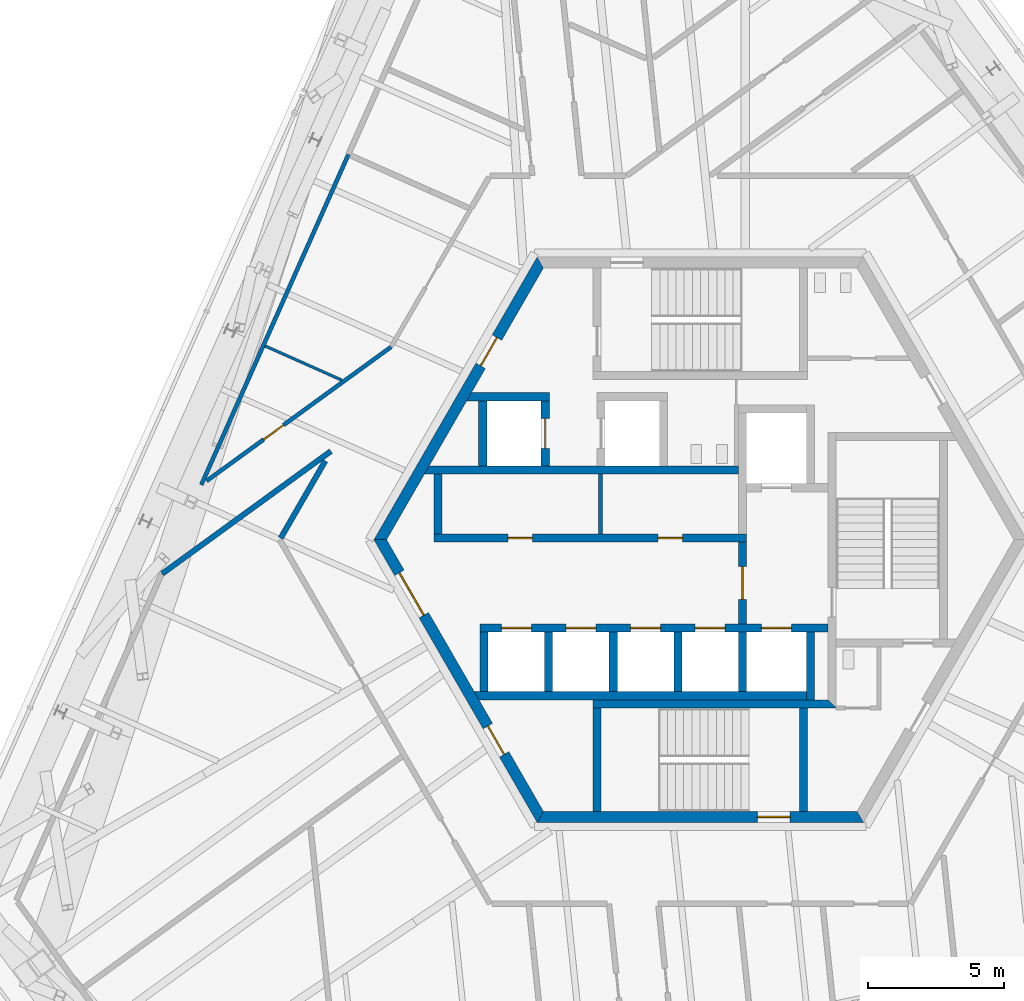
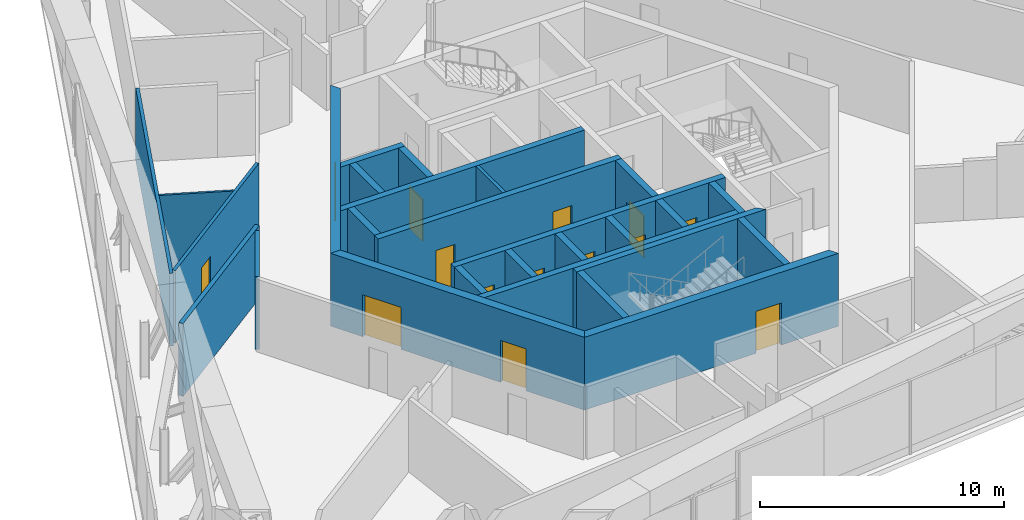
# One storey, part 13 of 23: 27 walls, 14 doors, 14 openings.
"""IFC4 building model written with IfcOpenShell, lengths in metres."""

from ifc_helpers import new_model, si_unit, direction, frame, frame_2d, origin, place, context, subcontext, project, spatial, polyline, rectangle, outline, extrude, source, transform, mapped, material, layer, layer_set, type_object, element, fill, save


model = new_model("IFC4")

# Units and contexts
model_context = context("Model", 3, precision=1e-05, world=origin(), true_north=direction((0.0, 1.0)))
body_context = subcontext(model_context, "Body", "Model", "MODEL_VIEW")
ifc_project = project(units=[si_unit("LENGTHUNIT", "METRE"), si_unit("AREAUNIT", "SQUARE_METRE"), si_unit("VOLUMEUNIT", "CUBIC_METRE"), si_unit("PLANEANGLEUNIT", "RADIAN"), si_unit("MASSUNIT", "GRAM", prefix="KILO")], contexts=[model_context])

# Site, building, storey
site_placement = place(None, origin())
site = spatial("IfcSite", under=ifc_project, at=site_placement, CompositionType="ELEMENT")
building_placement = place(site_placement, origin())
building = spatial("IfcBuilding", under=site, at=building_placement, Name="Triune Harvest Tower", CompositionType="ELEMENT")
storey_placement = place(building_placement, frame((0.0, 0.0, 255.699951171875)))
storey = spatial("IfcBuildingStorey", under=building, at=storey_placement, Name="L67", CompositionType="ELEMENT", Elevation=255.699951171875)

# Wall, opening, door
ifc_material_1 = material(Name="Gypsum board on steel studs", Category="steel")
ifc_layer_1 = layer(ifc_material_1, 0.14990234375)
ifc_layer_set_1 = layer_set([ifc_layer_1], Name="Gypsum board on steel studs")
wall_type_1 = type_object("IfcWallType", Name="Fire Partition 150 mm", PredefinedType="PARTITIONING", material=ifc_layer_set_1)
wall_1_placement = place(storey_placement, frame((-18.15380859375, 2.161376953125, 0.0), z_axis=(0.0, 0.0, 1.0), x_axis=(0.809014287375, 0.58778897814, 0.0)))
wall_1 = element("IfcWall", 1, at=wall_1_placement, inside=storey, type_object=wall_type_1, Name="Partition L67 048", PredefinedType="PARTITIONING", context=body_context, shape_type="SweptSolid", body=[
    extrude(rectangle(XDim=8.384033203125, YDim=0.14990234375, at=frame_2d((4.19189453125, 0.0))), origin(), (0.0, 0.0, 1.0), 3.64013671875),
])
opening_1_placement = place(wall_1_placement, frame((2.59619140625, 0.0, 0.0)))
opening_1 = element("IfcOpeningElement", 2, at=opening_1_placement, cuts=wall_1, Name="Opening L67-014", PredefinedType="OPENING", context=body_context, shape_type="SweptSolid", body=[
    extrude(rectangle(XDim=0.89990234375, YDim=2.10009765625, at=frame_2d((0.449951171875, 1.050048828125))), frame((0.0, 0.0849609375, 0.0), z_axis=(0.0, -1.0, 0.0), x_axis=(1.0, 0.0, 0.0)), (0.0, 0.0, 1.0), 0.169921875),
])
ifc_material_2 = material(Name="Timber and steel door set", Category="steel")
door_type_1 = type_object("IfcDoorType", Name="Single leaf door FD30 left hand 900 x 2100", OperationType="SINGLE_SWING_LEFT", PredefinedType="DOOR", material=ifc_material_2)
door_1_placement = place(opening_1_placement, origin())
door_1 = element("IfcDoor", 3, at=door_1_placement, inside=storey, type_object=door_type_1, Name="Door L67-014 Dry Store Room 67.14", OperationType="SINGLE_SWING_LEFT", OverallHeight=2.10009765625, OverallWidth=0.89990234375, PredefinedType="DOOR", context=body_context, shape_type="SweptSolid", body=[
    extrude(rectangle(XDim=0.89990234375, YDim=2.10009765625, at=frame_2d((0.449951171875, 1.050048828125))), frame((0.0, 0.02490234375, 0.0), z_axis=(0.0, -1.0, 0.0), x_axis=(1.0, 0.0, 0.0)), (0.0, 0.0, 1.0), 0.050048828125),
])
fill(opening_1, door_1)

# Walls
wall_2_placement = place(storey_placement, frame((-18.347900390625, 2.020263671875, 0.0), z_axis=(0.0, 0.0, 1.0), x_axis=(0.406721155021, 0.913552353211, 0.0)))
element("IfcWall", 4, at=wall_2_placement, inside=storey, type_object=wall_type_1, Name="Partition L67 059", PredefinedType="PARTITIONING", context=body_context, shape_type="SweptSolid", body=[
    extrude(rectangle(XDim=13.29345703125, YDim=0.14990234375, at=frame_2d((6.646728515625, 0.0))), origin(), (0.0, 0.0, 1.0), 3.64013671875),
])
ifc_material_3 = material(Name="Gypsum board on steel studs", Category="steel")
ifc_layer_2 = layer(ifc_material_3, 0.199951171875)
ifc_layer_set_2 = layer_set([ifc_layer_2], Name="Gypsum board on steel studs")
wall_type_2 = type_object("IfcWallType", Name="Fire Wall 200 mm", PredefinedType="PARTITIONING", material=ifc_layer_set_2)
wall_3_placement = place(storey_placement, frame((-19.7880859375, -1.250732421875, 0.0), z_axis=(0.0, 0.0, 1.0), x_axis=(0.809026459838, 0.58777222398, 0.0)))
element("IfcWall", 5, at=wall_3_placement, inside=storey, type_object=wall_type_2, Name="Partition L67 046", PredefinedType="PARTITIONING", context=body_context, shape_type="SweptSolid", body=[
    extrude(rectangle(XDim=7.6689453125, YDim=0.199951171875, at=frame_2d((3.83447265625, 0.0))), origin(), (0.0, 0.0, 1.0), 3.64013671875),
])
wall_4_placement = place(storey_placement, frame((-15.428955078125, 0.060546875, 0.0), z_axis=(0.0, 0.0, 1.0), x_axis=(0.499963356153, 0.866046559086, 0.0)))
element("IfcWall", 6, at=wall_4_placement, inside=storey, type_object=wall_type_2, Name="Partition L67 054", PredefinedType="PARTITIONING", context=body_context, shape_type="SweptSolid", body=[
    extrude(rectangle(XDim=3.275146484375, YDim=0.199951171875, at=frame_2d((1.6376953125, 0.0))), origin(), (0.0, 0.0, 1.0), 3.64013671875),
])
ifc_material_4 = material(Name="Gypsum board on steel studs", Category="steel")
ifc_layer_3 = layer(ifc_material_4, 0.10009765625)
ifc_layer_set_3 = layer_set([ifc_layer_3], Name="Gypsum board on steel studs")
wall_type_3 = type_object("IfcWallType", Name="Partition 100 mm", PredefinedType="PARTITIONING", material=ifc_layer_set_3)
wall_5_placement = place(storey_placement, frame((-16.008544921875, 7.127685546875, 0.0), z_axis=(0.0, 0.0, 1.0), x_axis=(0.913518380442, -0.406797454017, 0.0)))
element("IfcWall", 7, at=wall_5_placement, inside=storey, type_object=wall_type_3, Name="Partition L67 024", PredefinedType="PARTITIONING", context=body_context, shape_type="SweptSolid", body=[
    extrude(rectangle(XDim=3.09326171875, YDim=0.10009765625, at=frame_2d((1.546630859375, 0.0))), origin(), (0.0, 0.0, 1.0), 3.64013671875),
])

# Wall, opening, door
ifc_material_5 = material(Name="Concrete 70 MPa", Category="concrete")
ifc_layer_4 = layer(ifc_material_5, 0.39990234375)
ifc_layer_set_4 = layer_set([ifc_layer_4], Name="Concrete 70 MPa")
wall_type_4 = type_object("IfcWallType", Name="Core wall 400", PredefinedType="SHEAR", material=ifc_layer_set_4)
shared_shape_1 = source(origin(), body_context, "Body", "SweptSolid", [
    extrude(outline(polyline([(-0.115478515625, -0.199951171875), (11.884521484375, -0.199951171875), (11.653564453125, 0.199951171875), (0.115478515625, 0.199951171875), (-0.115478515625, -0.199951171875)])), origin(), (0.0, 0.0, 1.0), 3.64013671875),
])
wall_6_placement = place(storey_placement, frame((-5.884521484375, 10.1923828125, 0.0), z_axis=(0.0, 0.0, 1.0), x_axis=(-0.499996592174, -0.866027371285, 0.0)))
wall_6 = element("IfcWall", 8, at=wall_6_placement, inside=storey, type_object=wall_type_4, Name="Hexagon 2 wall", PredefinedType="SHEAR", context=body_context, shape_type="MappedRepresentation", body=[
    mapped(shared_shape_1, transform((0.0, 0.0, 0.0), scale=1.0)),
])
opening_2_placement = place(wall_6_placement, frame((3.1845703125, 0.0, 0.0)))
opening_2 = element("IfcOpeningElement", 9, at=opening_2_placement, cuts=wall_6, Name="Opening CD-SVP", PredefinedType="OPENING", context=body_context, shape_type="SweptSolid", body=[
    extrude(rectangle(XDim=1.199951171875, YDim=2.10009765625, at=frame_2d((0.60009765625, 1.050048828125))), frame((0.0, 0.2099609375, 0.0), z_axis=(0.0, -1.0, 0.0), x_axis=(1.0, 0.0, 0.0)), (0.0, 0.0, 1.0), 0.419921875),
])
ifc_material_6 = material(Name="Steel S235", Category="steel")
door_type_2 = type_object("IfcDoorType", Name="Service door 1200 FD120", OperationType="SINGLE_SWING_LEFT", PredefinedType="DOOR", material=ifc_material_6)
door_2_placement = place(opening_2_placement, frame((1.199951171875, 0.0, 0.0), z_axis=(0.0, 0.0, 1.0), x_axis=(-1.0, 0.0, 0.0)))
door_2 = element("IfcDoor", 10, at=door_2_placement, inside=storey, type_object=door_type_2, Name="Door CD-SVP", OperationType="SINGLE_SWING_RIGHT", OverallHeight=2.10009765625, OverallWidth=1.199951171875, PredefinedType="DOOR", context=body_context, shape_type="SweptSolid", body=[
    extrude(rectangle(XDim=1.199951171875, YDim=2.10009765625, at=frame_2d((0.60009765625, 1.050048828125))), frame((0.0, 0.02490234375, 0.0), z_axis=(0.0, -1.0, 0.0), x_axis=(1.0, 0.0, 0.0)), (0.0, 0.0, 1.0), 0.050048828125),
])
fill(opening_2, door_2)

# Wall, openings, doors
wall_7_placement = place(storey_placement, frame((-11.76904296875, 0.0, 0.0), z_axis=(0.0, 0.0, 1.0), x_axis=(0.499996592174, -0.866027371285, 0.0)))
wall_7 = element("IfcWall", 11, at=wall_7_placement, inside=storey, type_object=wall_type_4, Name="Hexagon 3 wall", PredefinedType="SHEAR", context=body_context, shape_type="MappedRepresentation", body=[
    mapped(shared_shape_1, transform((0.0, 0.0, 0.0), scale=1.0)),
])
opening_3_placement = place(wall_7_placement, frame((1.404541015625, 0.0, 0.0)))
opening_3 = element("IfcOpeningElement", 12, at=opening_3_placement, cuts=wall_7, Name="Opening CD-LS", PredefinedType="OPENING", context=body_context, shape_type="SweptSolid", body=[
    extrude(rectangle(XDim=1.800048828125, YDim=2.10009765625, at=frame_2d((0.89990234375, 1.050048828125))), frame((0.0, 0.2099609375, 0.0), z_axis=(0.0, -1.0, 0.0), x_axis=(1.0, 0.0, 0.0)), (0.0, 0.0, 1.0), 0.419921875),
])
opening_4_placement = place(wall_7_placement, frame((7.91455078125, 0.0, 0.0)))
opening_4 = element("IfcOpeningElement", 13, at=opening_4_placement, cuts=wall_7, Name="Opening CD-SWP", PredefinedType="OPENING", context=body_context, shape_type="SweptSolid", body=[
    extrude(rectangle(XDim=1.199951171875, YDim=2.10009765625, at=frame_2d((0.60009765625, 1.050048828125))), frame((0.0, 0.2099609375, 0.0), z_axis=(0.0, -1.0, 0.0), x_axis=(1.0, 0.0, 0.0)), (0.0, 0.0, 1.0), 0.419921875),
])
ifc_material_7 = material(Name="Steel S235", Category="steel")
door_type_3 = type_object("IfcDoorType", Name="Lobby door 1800 FD120", OperationType="DOUBLE_DOOR_DOUBLE_SWING", PredefinedType="DOOR", material=ifc_material_7)
door_3_placement = place(opening_3_placement, frame((1.800048828125, 0.0, 0.0), z_axis=(0.0, 0.0, 1.0), x_axis=(-1.0, 0.0, 0.0)))
door_3 = element("IfcDoor", 14, at=door_3_placement, inside=storey, type_object=door_type_3, Name="Door CD-LS", OperationType="DOUBLE_DOOR_DOUBLE_SWING", OverallHeight=2.10009765625, OverallWidth=1.800048828125, PredefinedType="DOOR", context=body_context, shape_type="SweptSolid", body=[
    extrude(rectangle(XDim=1.800048828125, YDim=2.10009765625, at=frame_2d((0.89990234375, 1.050048828125))), frame((0.0, 0.02490234375, 0.0), z_axis=(0.0, -1.0, 0.0), x_axis=(1.0, 0.0, 0.0)), (0.0, 0.0, 1.0), 0.050048828125),
])
fill(opening_3, door_3)
door_4_placement = place(opening_4_placement, frame((1.199951171875, 0.0, 0.0), z_axis=(0.0, 0.0, 1.0), x_axis=(-1.0, 0.0, 0.0)))
door_4 = element("IfcDoor", 15, at=door_4_placement, inside=storey, type_object=door_type_2, Name="Door CD-SWP", OperationType="SINGLE_SWING_RIGHT", OverallHeight=2.10009765625, OverallWidth=1.199951171875, PredefinedType="DOOR", context=body_context, shape_type="SweptSolid", body=[
    extrude(rectangle(XDim=1.199951171875, YDim=2.10009765625, at=frame_2d((0.60009765625, 1.050048828125))), frame((0.0, 0.02490234375, 0.0), z_axis=(0.0, -1.0, 0.0), x_axis=(1.0, 0.0, 0.0)), (0.0, 0.0, 1.0), 0.050048828125),
])
fill(opening_4, door_4)

# Wall, opening, door
wall_8_placement = place(storey_placement, frame((-5.884521484375, -10.1923828125, 0.0), z_axis=(0.0, 0.0, 1.0), x_axis=(1.0, 0.0, 0.0)))
wall_8 = element("IfcWall", 16, at=wall_8_placement, inside=storey, type_object=wall_type_4, Name="Hexagon 4 wall", PredefinedType="SHEAR", context=body_context, shape_type="MappedRepresentation", body=[
    mapped(shared_shape_1, transform((0.0, 0.0, 0.0), scale=1.0)),
])
opening_5_placement = place(wall_8_placement, frame((7.984619140625, 0.0, 0.0)))
opening_5 = element("IfcOpeningElement", 17, at=opening_5_placement, cuts=wall_8, Name="Opening CD-S2P", PredefinedType="OPENING", context=body_context, shape_type="SweptSolid", body=[
    extrude(rectangle(XDim=1.199951171875, YDim=2.10009765625, at=frame_2d((0.60009765625, 1.050048828125))), frame((0.0, 0.2099609375, 0.0), z_axis=(0.0, -1.0, 0.0), x_axis=(1.0, 0.0, 0.0)), (0.0, 0.0, 1.0), 0.419921875),
])
ifc_material_8 = material(Name="Steel S235", Category="steel")
door_type_4 = type_object("IfcDoorType", Name="Stair door 1200 FD120", OperationType="SINGLE_SWING_LEFT", PredefinedType="DOOR", material=ifc_material_8)
door_5_placement = place(opening_5_placement, frame((1.199951171875, 0.0, 0.0), z_axis=(0.0, 0.0, 1.0), x_axis=(-1.0, 0.0, 0.0)))
door_5 = element("IfcDoor", 18, at=door_5_placement, inside=storey, type_object=door_type_4, Name="Door CD-S2P", OperationType="SINGLE_SWING_RIGHT", OverallHeight=2.10009765625, OverallWidth=1.199951171875, PredefinedType="DOOR", context=body_context, shape_type="SweptSolid", body=[
    extrude(rectangle(XDim=1.199951171875, YDim=2.10009765625, at=frame_2d((0.60009765625, 1.050048828125))), frame((0.0, 0.02490234375, 0.0), z_axis=(0.0, -1.0, 0.0), x_axis=(1.0, 0.0, 0.0)), (0.0, 0.0, 1.0), 0.050048828125),
])
fill(opening_5, door_5)

# Wall, openings, doors
ifc_material_9 = material(Name="Concrete 70 MPa", Category="concrete")
ifc_layer_5 = layer(ifc_material_9, 0.300048828125)
ifc_layer_set_5 = layer_set([ifc_layer_5], Name="Concrete 70 MPa")
wall_type_5 = type_object("IfcWallType", Name="Core wall 300", PredefinedType="SHEAR", material=ifc_layer_set_5)
shared_shape_2 = source(origin(), body_context, "Body", "SweptSolid", [
    extrude(rectangle(XDim=11.5, YDim=0.300048828125, at=frame_2d((5.75, 0.0))), origin(), (0.0, 0.0, 1.0), 3.64013671875),
])
wall_9_placement = place(storey_placement, frame((-9.800048828125, 0.06005859375, 0.0), z_axis=(0.0, 0.0, 1.0), x_axis=(1.0, 0.0, 0.0)))
wall_9 = element("IfcWall", 19, at=wall_9_placement, inside=storey, type_object=wall_type_5, Name="North front wall", PredefinedType="SHEAR", context=body_context, shape_type="MappedRepresentation", body=[
    mapped(shared_shape_2, transform((0.0, 0.0, 0.0), scale=1.0)),
])
opening_6_placement = place(wall_9_placement, frame((2.7275390625, 0.0, 0.0)))
opening_6 = element("IfcOpeningElement", 20, at=opening_6_placement, cuts=wall_9, Name="Opening CD-RN1", PredefinedType="OPENING", context=body_context, shape_type="SweptSolid", body=[
    extrude(rectangle(XDim=0.89990234375, YDim=2.10009765625, at=frame_2d((0.449951171875, 1.050048828125))), frame((0.0, 0.16015625, 0.0), z_axis=(0.0, -1.0, 0.0), x_axis=(1.0, 0.0, 0.0)), (0.0, 0.0, 1.0), 0.320068359375),
])
opening_7_placement = place(wall_9_placement, frame((8.25244140625, 0.0, 0.0)))
opening_7 = element("IfcOpeningElement", 21, at=opening_7_placement, cuts=wall_9, Name="Opening CD-RN2", PredefinedType="OPENING", context=body_context, shape_type="SweptSolid", body=[
    extrude(rectangle(XDim=0.89990234375, YDim=2.10009765625, at=frame_2d((0.449951171875, 1.050048828125))), frame((0.0, 0.16015625, 0.0), z_axis=(0.0, -1.0, 0.0), x_axis=(1.0, 0.0, 0.0)), (0.0, 0.0, 1.0), 0.320068359375),
])
ifc_material_10 = material(Name="Steel S235", Category="steel")
door_type_5 = type_object("IfcDoorType", Name="Riser door 900 FD120", OperationType="SINGLE_SWING_LEFT", PredefinedType="DOOR", material=ifc_material_10)
door_6_placement = place(opening_6_placement, frame((0.89990234375, 0.0, 0.0), z_axis=(0.0, 0.0, 1.0), x_axis=(-1.0, 0.0, 0.0)))
door_6 = element("IfcDoor", 22, at=door_6_placement, inside=storey, type_object=door_type_5, Name="Door CD-RN1", OperationType="SINGLE_SWING_RIGHT", OverallHeight=2.10009765625, OverallWidth=0.89990234375, PredefinedType="DOOR", context=body_context, shape_type="SweptSolid", body=[
    extrude(rectangle(XDim=0.89990234375, YDim=2.10009765625, at=frame_2d((0.449951171875, 1.050048828125))), frame((0.0, 0.02490234375, 0.0), z_axis=(0.0, -1.0, 0.0), x_axis=(1.0, 0.0, 0.0)), (0.0, 0.0, 1.0), 0.050048828125),
])
fill(opening_6, door_6)
door_7_placement = place(opening_7_placement, frame((0.89990234375, 0.0, 0.0), z_axis=(0.0, 0.0, 1.0), x_axis=(-1.0, 0.0, 0.0)))
door_7 = element("IfcDoor", 23, at=door_7_placement, inside=storey, type_object=door_type_5, Name="Door CD-RN2", OperationType="SINGLE_SWING_RIGHT", OverallHeight=2.10009765625, OverallWidth=0.89990234375, PredefinedType="DOOR", context=body_context, shape_type="SweptSolid", body=[
    extrude(rectangle(XDim=0.89990234375, YDim=2.10009765625, at=frame_2d((0.449951171875, 1.050048828125))), frame((0.0, 0.02490234375, 0.0), z_axis=(0.0, -1.0, 0.0), x_axis=(1.0, 0.0, 0.0)), (0.0, 0.0, 1.0), 0.050048828125),
])
fill(opening_7, door_7)

# Walls
shared_shape_3 = source(origin(), body_context, "Body", "SweptSolid", [
    extrude(outline(polyline([(11.199951171875, -0.14990234375), (-0.34912109375, -0.14990234375), (-0.17578125, 0.14990234375), (11.199951171875, 0.14990234375), (11.199951171875, -0.14990234375)])), origin(), (0.0, 0.0, 1.0), 3.64013671875),
])
wall_10_placement = place(storey_placement, frame((-9.800048828125, 2.56005859375, 0.0), z_axis=(0.0, 0.0, 1.0), x_axis=(1.0, 0.0, 0.0)))
element("IfcWall", 24, at=wall_10_placement, inside=storey, type_object=wall_type_5, Name="North back wall", PredefinedType="SHEAR", context=body_context, shape_type="MappedRepresentation", body=[
    mapped(shared_shape_3, transform((0.0, 0.0, 0.0), scale=1.0)),
])
shared_shape_4 = source(origin(), body_context, "Body", "SweptSolid", [
    extrude(rectangle(XDim=2.5, YDim=0.300048828125, at=frame_2d((1.25, 0.0))), origin(), (0.0, 0.0, 1.0), 3.64013671875),
])
wall_11_placement = place(storey_placement, frame((4.050048828125, -5.889892578125, 0.0), z_axis=(0.0, 0.0, 1.0), x_axis=(0.0, 1.0, 0.0)))
element("IfcWall", 25, at=wall_11_placement, inside=storey, type_object=wall_type_5, Name="Ff2 east wall", PredefinedType="SHEAR", context=body_context, shape_type="MappedRepresentation", body=[
    mapped(shared_shape_4, transform((0.0, 0.0, 0.0), scale=1.0)),
])

# Wall, opening, door
shared_shape_5 = source(origin(), body_context, "Body", "SweptSolid", [
    extrude(rectangle(XDim=3.0, YDim=0.300048828125, at=frame_2d((1.5, 0.0))), origin(), (0.0, 0.0, 1.0), 3.64013671875),
])
wall_12_placement = place(storey_placement, frame((1.550048828125, -3.090087890625, 0.0), z_axis=(0.0, 0.0, 1.0), x_axis=(0.0, 1.0, 0.0)))
wall_12 = element("IfcWall", 26, at=wall_12_placement, inside=storey, type_object=wall_type_5, Name="Ff lobby west wall", PredefinedType="SHEAR", context=body_context, shape_type="MappedRepresentation", body=[
    mapped(shared_shape_5, transform((0.0, 0.0, 0.0), scale=1.0)),
])
opening_8_placement = place(wall_12_placement, frame((0.89990234375, 0.0, 0.0)))
opening_8 = element("IfcOpeningElement", 27, at=opening_8_placement, cuts=wall_12, Name="Opening CD-FL", PredefinedType="OPENING", context=body_context, shape_type="SweptSolid", body=[
    extrude(rectangle(XDim=1.199951171875, YDim=2.10009765625, at=frame_2d((0.60009765625, 1.050048828125))), frame((0.0, 0.16015625, 0.0), z_axis=(0.0, -1.0, 0.0), x_axis=(1.0, 0.0, 0.0)), (0.0, 0.0, 1.0), 0.320068359375),
])
ifc_material_11 = material(Name="Steel S235", Category="steel")
door_type_6 = type_object("IfcDoorType", Name="Firefighters' lobby door 1200 FD120", OperationType="SINGLE_SWING_LEFT", PredefinedType="DOOR", material=ifc_material_11)
door_8_placement = place(opening_8_placement, frame((1.199951171875, 0.0, 0.0), z_axis=(0.0, 0.0, 1.0), x_axis=(-1.0, 0.0, 0.0)))
door_8 = element("IfcDoor", 28, at=door_8_placement, inside=storey, type_object=door_type_6, Name="Door CD-FL", OperationType="SINGLE_SWING_RIGHT", OverallHeight=2.10009765625, OverallWidth=1.199951171875, PredefinedType="DOOR", context=body_context, shape_type="SweptSolid", body=[
    extrude(rectangle(XDim=1.199951171875, YDim=2.10009765625, at=frame_2d((0.60009765625, 1.050048828125))), frame((0.0, 0.02490234375, 0.0), z_axis=(0.0, -1.0, 0.0), x_axis=(1.0, 0.0, 0.0)), (0.0, 0.0, 1.0), 0.050048828125),
])
fill(opening_8, door_8)

# Wall, openings, doors
shared_shape_6 = source(origin(), body_context, "Body", "SweptSolid", [
    extrude(rectangle(XDim=12.800048828125, YDim=0.300048828125, at=frame_2d((6.39990234375, 0.0))), origin(), (0.0, 0.0, 1.0), 3.64013671875),
])
wall_13_placement = place(storey_placement, frame((-8.10009765625, -3.239990234375, 0.0), z_axis=(0.0, 0.0, 1.0), x_axis=(1.0, 0.0, 0.0)))
wall_13 = element("IfcWall", 29, at=wall_13_placement, inside=storey, type_object=wall_type_5, Name="South front wall", PredefinedType="SHEAR", context=body_context, shape_type="MappedRepresentation", body=[
    mapped(shared_shape_6, transform((0.0, 0.0, 0.0), scale=1.0)),
])
opening_9_placement = place(wall_13_placement, frame((0.78759765625, 0.0, 0.0)))
opening_9 = element("IfcOpeningElement", 30, at=opening_9_placement, cuts=wall_13, Name="Opening LD-HR1-67", PredefinedType="OPENING", context=body_context, shape_type="SweptSolid", body=[
    extrude(rectangle(XDim=1.10009765625, YDim=2.10009765625, at=frame_2d((0.550048828125, 1.050048828125))), frame((0.0, 0.16015625, 0.0), z_axis=(0.0, -1.0, 0.0), x_axis=(1.0, 0.0, 0.0)), (0.0, 0.0, 1.0), 0.320068359375),
])
opening_10_placement = place(wall_13_placement, frame((3.16259765625, 0.0, 0.0)))
opening_10 = element("IfcOpeningElement", 31, at=opening_10_placement, cuts=wall_13, Name="Opening LD-HR2-67", PredefinedType="OPENING", context=body_context, shape_type="SweptSolid", body=[
    extrude(rectangle(XDim=1.10009765625, YDim=2.10009765625, at=frame_2d((0.550048828125, 1.050048828125))), frame((0.0, 0.16015625, 0.0), z_axis=(0.0, -1.0, 0.0), x_axis=(1.0, 0.0, 0.0)), (0.0, 0.0, 1.0), 0.320068359375),
])
opening_11_placement = place(wall_13_placement, frame((5.53759765625, 0.0, 0.0)))
opening_11 = element("IfcOpeningElement", 32, at=opening_11_placement, cuts=wall_13, Name="Opening LD-HR3-67", PredefinedType="OPENING", context=body_context, shape_type="SweptSolid", body=[
    extrude(rectangle(XDim=1.10009765625, YDim=2.10009765625, at=frame_2d((0.550048828125, 1.050048828125))), frame((0.0, 0.16015625, 0.0), z_axis=(0.0, -1.0, 0.0), x_axis=(1.0, 0.0, 0.0)), (0.0, 0.0, 1.0), 0.320068359375),
])
opening_12_placement = place(wall_13_placement, frame((7.91259765625, 0.0, 0.0)))
opening_12 = element("IfcOpeningElement", 33, at=opening_12_placement, cuts=wall_13, Name="Opening LD-HR4-67", PredefinedType="OPENING", context=body_context, shape_type="SweptSolid", body=[
    extrude(rectangle(XDim=1.10009765625, YDim=2.10009765625, at=frame_2d((0.550048828125, 1.050048828125))), frame((0.0, 0.16015625, 0.0), z_axis=(0.0, -1.0, 0.0), x_axis=(1.0, 0.0, 0.0)), (0.0, 0.0, 1.0), 0.320068359375),
])
opening_13_placement = place(wall_13_placement, frame((10.35009765625, 0.0, 0.0)))
opening_13 = element("IfcOpeningElement", 34, at=opening_13_placement, cuts=wall_13, Name="Opening LD-FF2-67", PredefinedType="OPENING", context=body_context, shape_type="SweptSolid", body=[
    extrude(rectangle(XDim=1.10009765625, YDim=2.10009765625, at=frame_2d((0.550048828125, 1.050048828125))), frame((0.0, 0.16015625, 0.0), z_axis=(0.0, -1.0, 0.0), x_axis=(1.0, 0.0, 0.0)), (0.0, 0.0, 1.0), 0.320068359375),
])
ifc_material_12 = material(Name="Stainless steel AISI 304", Category="steel")
door_type_7 = type_object("IfcDoorType", Name="Landing door 1100 x 2100", OperationType="DOUBLE_DOOR_SLIDING", PredefinedType="DOOR", material=ifc_material_12)
door_9_placement = place(opening_9_placement, origin())
door_9 = element("IfcDoor", 35, at=door_9_placement, inside=storey, type_object=door_type_7, Name="Door LD-HR1-67", OperationType="DOUBLE_DOOR_SLIDING", OverallHeight=2.10009765625, OverallWidth=1.10009765625, PredefinedType="DOOR", context=body_context, shape_type="SweptSolid", body=[
    extrude(rectangle(XDim=1.10009765625, YDim=2.10009765625, at=frame_2d((0.550048828125, 1.050048828125))), frame((0.0, 0.02490234375, 0.0), z_axis=(0.0, -1.0, 0.0), x_axis=(1.0, 0.0, 0.0)), (0.0, 0.0, 1.0), 0.050048828125),
])
fill(opening_9, door_9)
door_10_placement = place(opening_10_placement, origin())
door_10 = element("IfcDoor", 36, at=door_10_placement, inside=storey, type_object=door_type_7, Name="Door LD-HR2-67", OperationType="DOUBLE_DOOR_SLIDING", OverallHeight=2.10009765625, OverallWidth=1.10009765625, PredefinedType="DOOR", context=body_context, shape_type="SweptSolid", body=[
    extrude(rectangle(XDim=1.10009765625, YDim=2.10009765625, at=frame_2d((0.550048828125, 1.050048828125))), frame((0.0, 0.02490234375, 0.0), z_axis=(0.0, -1.0, 0.0), x_axis=(1.0, 0.0, 0.0)), (0.0, 0.0, 1.0), 0.050048828125),
])
fill(opening_10, door_10)
door_11_placement = place(opening_11_placement, origin())
door_11 = element("IfcDoor", 37, at=door_11_placement, inside=storey, type_object=door_type_7, Name="Door LD-HR3-67", OperationType="DOUBLE_DOOR_SLIDING", OverallHeight=2.10009765625, OverallWidth=1.10009765625, PredefinedType="DOOR", context=body_context, shape_type="SweptSolid", body=[
    extrude(rectangle(XDim=1.10009765625, YDim=2.10009765625, at=frame_2d((0.550048828125, 1.050048828125))), frame((0.0, 0.02490234375, 0.0), z_axis=(0.0, -1.0, 0.0), x_axis=(1.0, 0.0, 0.0)), (0.0, 0.0, 1.0), 0.050048828125),
])
fill(opening_11, door_11)
door_12_placement = place(opening_12_placement, origin())
door_12 = element("IfcDoor", 38, at=door_12_placement, inside=storey, type_object=door_type_7, Name="Door LD-HR4-67", OperationType="DOUBLE_DOOR_SLIDING", OverallHeight=2.10009765625, OverallWidth=1.10009765625, PredefinedType="DOOR", context=body_context, shape_type="SweptSolid", body=[
    extrude(rectangle(XDim=1.10009765625, YDim=2.10009765625, at=frame_2d((0.550048828125, 1.050048828125))), frame((0.0, 0.02490234375, 0.0), z_axis=(0.0, -1.0, 0.0), x_axis=(1.0, 0.0, 0.0)), (0.0, 0.0, 1.0), 0.050048828125),
])
fill(opening_12, door_12)
door_13_placement = place(opening_13_placement, origin())
door_13 = element("IfcDoor", 39, at=door_13_placement, inside=storey, type_object=door_type_7, Name="Door LD-FF2-67", OperationType="DOUBLE_DOOR_SLIDING", OverallHeight=2.10009765625, OverallWidth=1.10009765625, PredefinedType="DOOR", context=body_context, shape_type="SweptSolid", body=[
    extrude(rectangle(XDim=1.10009765625, YDim=2.10009765625, at=frame_2d((0.550048828125, 1.050048828125))), frame((0.0, 0.02490234375, 0.0), z_axis=(0.0, -1.0, 0.0), x_axis=(1.0, 0.0, 0.0)), (0.0, 0.0, 1.0), 0.050048828125),
])
fill(opening_13, door_13)

# Walls
shared_shape_7 = source(origin(), body_context, "Body", "SweptSolid", [
    extrude(outline(polyline([(12.0, -0.14990234375), (-0.039794921875, -0.14990234375), (-0.212890625, 0.14990234375), (12.0, 0.14990234375), (12.0, -0.14990234375)])), origin(), (0.0, 0.0, 1.0), 3.64013671875),
])
wall_14_placement = place(storey_placement, frame((-8.10009765625, -5.739990234375, 0.0), z_axis=(0.0, 0.0, 1.0), x_axis=(1.0, 0.0, 0.0)))
element("IfcWall", 40, at=wall_14_placement, inside=storey, type_object=wall_type_5, Name="South back wall", PredefinedType="SHEAR", context=body_context, shape_type="MappedRepresentation", body=[
    mapped(shared_shape_7, transform((0.0, 0.0, 0.0), scale=1.0)),
])
shared_shape_8 = source(origin(), body_context, "Body", "SweptSolid", [
    extrude(rectangle(XDim=2.2001953125, YDim=0.300048828125, at=frame_2d((1.10009765625, 0.0))), origin(), (0.0, 0.0, 1.0), 3.64013671875),
])
for number, where, z_axis, x_axis, name in (
    (41, (-7.949951171875, -5.590087890625, 0.0), (0.0, 0.0, 1.0), (0.0, 1.0, 0.0), "South end west wall"),
    (42, (1.550048828125, -5.590087890625, 0.0), (0.0, 0.0, 1.0), (0.0, 1.0, 0.0), "Ff2 west wall"),
    (43, (-5.574951171875, -5.590087890625, 0.0), (0.0, 0.0, 1.0), (0.0, 1.0, 0.0), "South cross 1 wall"),
    (44, (-3.199951171875, -5.590087890625, 0.0), (0.0, 0.0, 1.0), (0.0, 1.0, 0.0), "South cross 2 wall"),
    (45, (-0.824951171875, -5.590087890625, 0.0), (0.0, 0.0, 1.0), (0.0, 1.0, 0.0), "South cross 3 wall"),
):
    element("IfcWall", number, at=place(storey_placement, frame(where, z_axis=z_axis, x_axis=x_axis)), inside=storey, type_object=wall_type_5, Name=name, PredefinedType="SHEAR", context=body_context, shape_type="MappedRepresentation", body=[
        mapped(shared_shape_8, transform((0.0, 0.0, 0.0), scale=1.0)),
    ])
shared_shape_9 = source(origin(), body_context, "Body", "SweptSolid", [
    extrude(rectangle(XDim=2.199951171875, YDim=0.300048828125, at=frame_2d((1.10009765625, 0.0))), origin(), (0.0, 0.0, 1.0), 3.64013671875),
])
wall_15_placement = place(storey_placement, frame((-9.64990234375, 0.2099609375, 0.0), z_axis=(0.0, 0.0, 1.0), x_axis=(0.0, 1.0, 0.0)))
element("IfcWall", 46, at=wall_15_placement, inside=storey, type_object=wall_type_5, Name="North end west wall", PredefinedType="SHEAR", context=body_context, shape_type="MappedRepresentation", body=[
    mapped(shared_shape_9, transform((0.0, 0.0, 0.0), scale=1.0)),
])
shared_shape_10 = source(origin(), body_context, "Body", "SweptSolid", [
    extrude(outline(polyline([(0.0, -0.14990234375), (8.949951171875, -0.14990234375), (8.64990234375, 0.14990234375), (0.0, 0.14990234375), (0.0, -0.14990234375)])), origin(), (0.0, 0.0, 1.0), 3.64013671875),
])
wall_16_placement = place(storey_placement, frame((-3.949951171875, -6.0400390625, 0.0), z_axis=(0.0, 0.0, 1.0), x_axis=(1.0, 0.0, 0.0)))
element("IfcWall", 47, at=wall_16_placement, inside=storey, type_object=wall_type_5, Name="Stair s north wall", PredefinedType="SHEAR", context=body_context, shape_type="MappedRepresentation", body=[
    mapped(shared_shape_10, transform((0.0, 0.0, 0.0), scale=1.0)),
])
shared_shape_11 = source(origin(), body_context, "Body", "SweptSolid", [
    extrude(outline(polyline([(3.800048828125, -0.14990234375), (-0.00439453125, -0.14990234375), (-0.00439453125, 0.14990234375), (3.800048828125, 0.14990234375), (3.800048828125, -0.14990234375)])), origin(), (0.0, 0.0, 1.0), 3.64013671875),
])
for number, where, z_axis, x_axis, name in (
    (48, (-3.800048828125, -9.989990234375, 0.0), (0.0, 0.0, 1.0), (0.0, 1.0, 0.0), "Stair s west wall"),
    (49, (3.800048828125, -9.989990234375, 0.0), (0.0, 0.0, 1.0), (0.0, 1.0, 0.0), "Stair s east wall"),
):
    element("IfcWall", number, at=place(storey_placement, frame(where, z_axis=z_axis, x_axis=x_axis)), inside=storey, type_object=wall_type_5, Name=name, PredefinedType="SHEAR", context=body_context, shape_type="MappedRepresentation", body=[
        mapped(shared_shape_11, transform((0.0, 0.0, 0.0), scale=1.0)),
    ])
shared_shape_12 = source(origin(), body_context, "Body", "SweptSolid", [
    extrude(outline(polyline([(2.60009765625, -0.14990234375), (-0.440185546875, -0.14990234375), (-0.26708984375, 0.14990234375), (2.60009765625, 0.14990234375), (2.60009765625, -0.14990234375)])), origin(), (0.0, 0.0, 1.0), 3.64013671875),
])
wall_17_placement = place(storey_placement, frame((-8.14990234375, 5.260009765625, 0.0), z_axis=(0.0, 0.0, 1.0), x_axis=(1.0, 0.0, 0.0)))
element("IfcWall", 50, at=wall_17_placement, inside=storey, type_object=wall_type_5, Name="Sv1 north wall", PredefinedType="SHEAR", context=body_context, shape_type="MappedRepresentation", body=[
    mapped(shared_shape_12, transform((0.0, 0.0, 0.0), scale=1.0)),
])
shared_shape_13 = source(origin(), body_context, "Body", "SweptSolid", [
    extrude(rectangle(XDim=2.400146484375, YDim=0.300048828125, at=frame_2d((1.2001953125, 0.0))), origin(), (0.0, 0.0, 1.0), 3.64013671875),
])
wall_18_placement = place(storey_placement, frame((-8.0, 2.7099609375, 0.0), z_axis=(0.0, 0.0, 1.0), x_axis=(0.0, 1.0, 0.0)))
element("IfcWall", 51, at=wall_18_placement, inside=storey, type_object=wall_type_5, Name="Sv1 west wall", PredefinedType="SHEAR", context=body_context, shape_type="MappedRepresentation", body=[
    mapped(shared_shape_13, transform((0.0, 0.0, 0.0), scale=1.0)),
])

# Wall, opening, door
wall_19_placement = place(storey_placement, frame((-5.699951171875, 2.7099609375, 0.0), z_axis=(0.0, 0.0, 1.0), x_axis=(0.0, 1.0, 0.0)))
wall_19 = element("IfcWall", 52, at=wall_19_placement, inside=storey, type_object=wall_type_5, Name="Sv1 east wall", PredefinedType="SHEAR", context=body_context, shape_type="MappedRepresentation", body=[
    mapped(shared_shape_13, transform((0.0, 0.0, 0.0), scale=1.0)),
])
opening_14_placement = place(wall_19_placement, frame((0.64990234375, 0.0, 0.0)))
opening_14 = element("IfcOpeningElement", 53, at=opening_14_placement, cuts=wall_19, Name="Opening LD-SV1-67", PredefinedType="OPENING", context=body_context, shape_type="SweptSolid", body=[
    extrude(rectangle(XDim=1.10009765625, YDim=2.10009765625, at=frame_2d((0.550048828125, 1.050048828125))), frame((0.0, 0.16015625, 0.0), z_axis=(0.0, -1.0, 0.0), x_axis=(1.0, 0.0, 0.0)), (0.0, 0.0, 1.0), 0.320068359375),
])
door_14_placement = place(opening_14_placement, origin())
door_14 = element("IfcDoor", 54, at=door_14_placement, inside=storey, type_object=door_type_7, Name="Door LD-SV1-67", OperationType="DOUBLE_DOOR_SLIDING", OverallHeight=2.10009765625, OverallWidth=1.10009765625, PredefinedType="DOOR", context=body_context, shape_type="SweptSolid", body=[
    extrude(rectangle(XDim=1.10009765625, YDim=2.10009765625, at=frame_2d((0.550048828125, 1.050048828125))), frame((0.0, 0.02490234375, 0.0), z_axis=(0.0, -1.0, 0.0), x_axis=(1.0, 0.0, 0.0)), (0.0, 0.0, 1.0), 0.050048828125),
])
fill(opening_14, door_14)

# Wall
ifc_material_13 = material(Name="Concrete masonry unit", Category="masonry")
ifc_layer_6 = layer(ifc_material_13, 0.14990234375)
ifc_layer_set_6 = layer_set([ifc_layer_6], Name="Concrete masonry unit")
wall_type_6 = type_object("IfcWallType", Name="Block partition 150", PredefinedType="PARTITIONING", material=ifc_layer_set_6)
shared_shape_14 = source(origin(), body_context, "Body", "SweptSolid", [
    extrude(rectangle(XDim=2.199951171875, YDim=0.14990234375, at=frame_2d((1.10009765625, 0.0))), origin(), (0.0, 0.0, 1.0), 3.64013671875),
])
wall_20_placement = place(storey_placement, frame((-3.669921875, 0.2099609375, 0.0), z_axis=(0.0, 0.0, 1.0), x_axis=(0.0, 1.0, 0.0)))
element("IfcWall", 55, at=wall_20_placement, inside=storey, type_object=wall_type_6, Name="Row n part 1 wall", PredefinedType="PARTITIONING", context=body_context, shape_type="MappedRepresentation", body=[
    mapped(shared_shape_14, transform((0.0, 0.0, 0.0), scale=1.0)),
])

save(model, "model.ifc")
